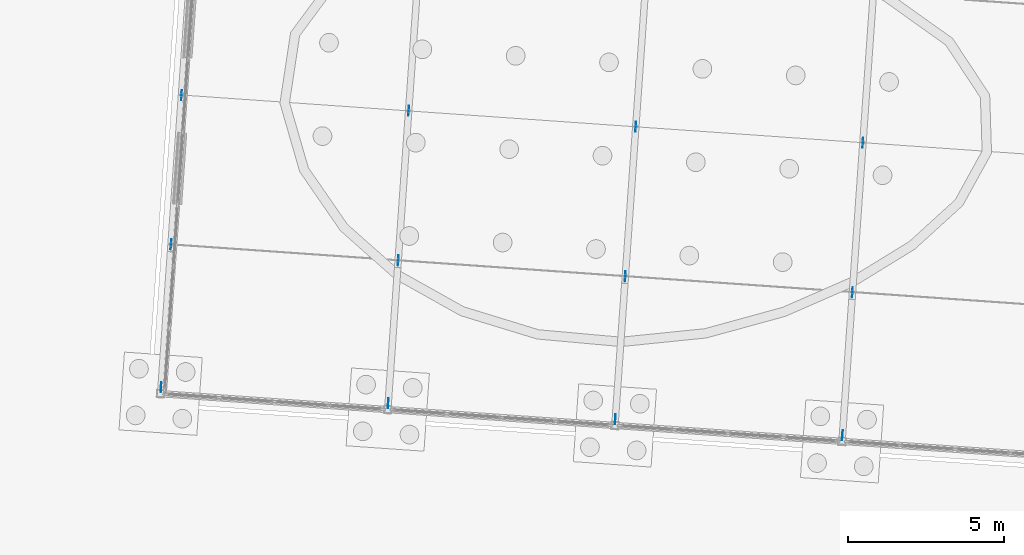
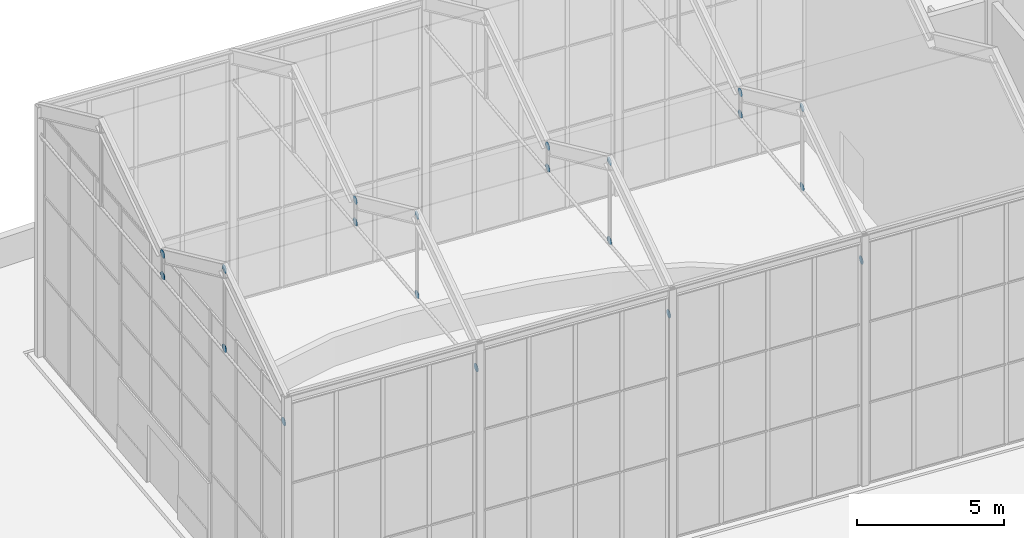
# One storey, part 117 of 157: 20 discrete accessories.
"""IFC4 building model written with IfcOpenShell, lengths in metres."""

from ifc_helpers import new_model, si_unit, direction, frame, origin, origin_2d, place, context, subcontext, project, spatial, circle, extrude, material, layer, layer_set, type_object, element, save


model = new_model("IFC4")

# Units and contexts
model_context = context("Model", 3, precision=1e-05, world=origin(), true_north=direction((0.0, 1.0)))
body_context = subcontext(model_context, "Body", "Model", "MODEL_VIEW")
ifc_project = project(units=[si_unit("LENGTHUNIT", "METRE"), si_unit("AREAUNIT", "SQUARE_METRE"), si_unit("VOLUMEUNIT", "CUBIC_METRE"), si_unit("PLANEANGLEUNIT", "RADIAN"), si_unit("MASSUNIT", "GRAM", prefix="KILO")], contexts=[model_context])

# Site, building, storey
site_placement = place(None, origin())
site = spatial("IfcSite", under=ifc_project, at=site_placement, CompositionType="ELEMENT")
building_placement = place(site_placement, origin())
building = spatial("IfcBuilding", under=site, at=building_placement, Name="Windward Yard Aquatics Centre", CompositionType="ELEMENT")
storey_placement = place(building_placement, origin())
storey = spatial("IfcBuildingStorey", under=building, at=storey_placement, Name="L00", CompositionType="ELEMENT", Elevation=0.0)

# Discrete accessories
ifc_material = material(Name="Steel S355", Category="steel")
ifc_layer = layer(ifc_material, 0.011962890625)
ifc_layer_set = layer_set([ifc_layer], Name="Gusset plate 320 mm disc 12 mm, roof frames")
discrete_accessory_type = type_object("IfcDiscreteAccessoryType", Name="Gusset plate 320 mm disc 12 mm, roof frames", PredefinedType="USERDEFINED", material=ifc_layer_set)
for number, where, z_axis, x_axis, name in (
    (1, (71.859130859375, 119.583251953125, 9.199951171875), (0.998131033565, -0.06111006328, 0.0), (0.06111006328, 0.998131033565, 0.0), "Gusset plate"),
    (2, (72.514892578125, 128.960205078125, 9.35009765625), (0.998131033565, -0.06111006328, 0.0), (0.06111006328, 0.998131033565, 0.0), "Gusset plate"),
    (3, (72.514892578125, 128.960205078125, 10.260009765625), (0.998131033565, -0.06111006328, 0.0), (0.06111006328, 0.998131033565, 0.0), "Gusset plate"),
    (4, (72.179931640625, 124.172119140625, 9.35009765625), (0.996684615823, -0.081362009455, 0.0), (0.081362009455, 0.996684615823, 0.0), "Gusset plate"),
    (5, (72.179931640625, 124.172119140625, 12.659912109375), (0.996684615823, -0.081362009455, 0.0), (0.081362009455, 0.996684615823, 0.0), "Gusset plate"),
    (6, (79.141357421875, 119.073974609375, 9.199951171875), (0.998131033565, -0.06111006328, 0.0), (0.06111006328, 0.998131033565, 0.0), "Gusset plate"),
    (7, (79.797119140625, 128.451171875, 9.35009765625), (0.996684615823, -0.081362009455, 0.0), (0.081362009455, 0.996684615823, 0.0), "Gusset plate"),
    (8, (79.797119140625, 128.451171875, 10.260009765625), (0.996684615823, -0.081362009455, 0.0), (0.081362009455, 0.996684615823, 0.0), "Gusset plate"),
    (9, (79.462158203125, 123.662841796875, 9.35009765625), (0.996684615823, -0.081362009455, 0.0), (0.081362009455, 0.996684615823, 0.0), "Gusset plate"),
    (10, (79.462158203125, 123.662841796875, 12.659912109375), (0.996684615823, -0.081362009455, 0.0), (0.081362009455, 0.996684615823, 0.0), "Gusset plate"),
    (11, (86.423583984375, 118.564697265625, 9.199951171875), (0.998131033565, -0.06111006328, 0.0), (0.06111006328, 0.998131033565, 0.0), "Gusset plate"),
    (12, (87.079345703125, 127.94189453125, 9.35009765625), (0.998131033565, -0.06111006328, 0.0), (0.06111006328, 0.998131033565, 0.0), "Gusset plate"),
    (13, (87.079345703125, 127.94189453125, 10.260009765625), (0.998131033565, -0.06111006328, 0.0), (0.06111006328, 0.998131033565, 0.0), "Gusset plate"),
    (14, (86.744384765625, 123.153564453125, 9.35009765625), (0.998131033565, -0.06111006328, 0.0), (0.06111006328, 0.998131033565, 0.0), "Gusset plate"),
    (15, (86.744384765625, 123.153564453125, 12.659912109375), (0.998131033565, -0.06111006328, 0.0), (0.06111006328, 0.998131033565, 0.0), "Gusset plate"),
    (16, (93.705810546875, 118.0556640625, 9.199951171875), (0.996684615823, -0.081362009455, 0.0), (0.081362009455, 0.996684615823, 0.0), "Gusset plate"),
    (17, (94.361572265625, 127.4326171875, 9.35009765625), (0.998131033565, -0.06111006328, 0.0), (0.06111006328, 0.998131033565, 0.0), "Gusset plate"),
    (18, (94.361572265625, 127.4326171875, 10.260009765625), (0.998131033565, -0.06111006328, 0.0), (0.06111006328, 0.998131033565, 0.0), "Gusset plate"),
    (19, (94.026611328125, 122.644287109375, 9.35009765625), (0.998131033565, -0.06111006328, 0.0), (0.06111006328, 0.998131033565, 0.0), "Gusset plate"),
    (20, (94.026611328125, 122.644287109375, 12.659912109375), (0.998131033565, -0.06111006328, 0.0), (0.06111006328, 0.998131033565, 0.0), "Gusset plate"),
):
    element("IfcDiscreteAccessory", number, at=place(storey_placement, frame(where, z_axis=z_axis, x_axis=x_axis)), inside=storey, type_object=discrete_accessory_type, Name=name, ObjectType="GUSSET PLATE", PredefinedType="USERDEFINED", context=body_context, shape_type="SweptSolid", body=[
        extrude(circle(Radius=0.159912109375, at=origin_2d()), origin(), (0.0, 0.0, 1.0), 0.011962890625),
    ])

save(model, "model.ifc")
